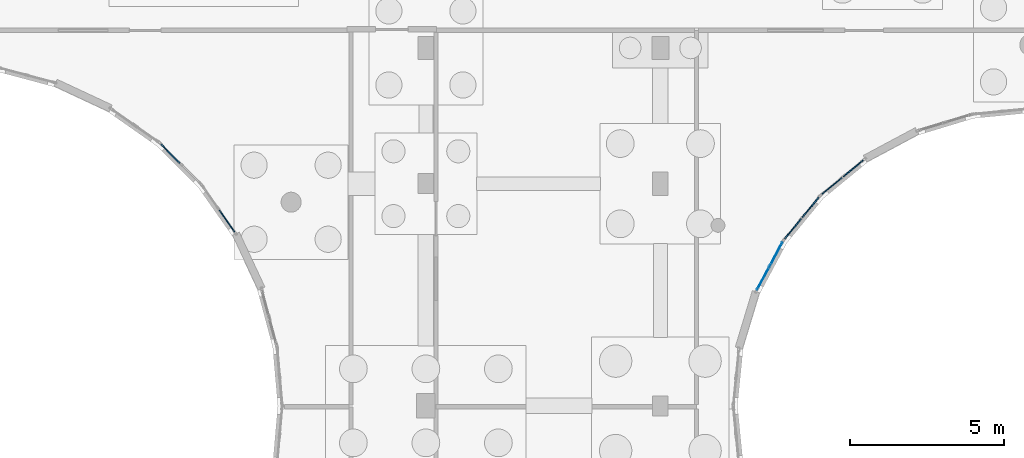
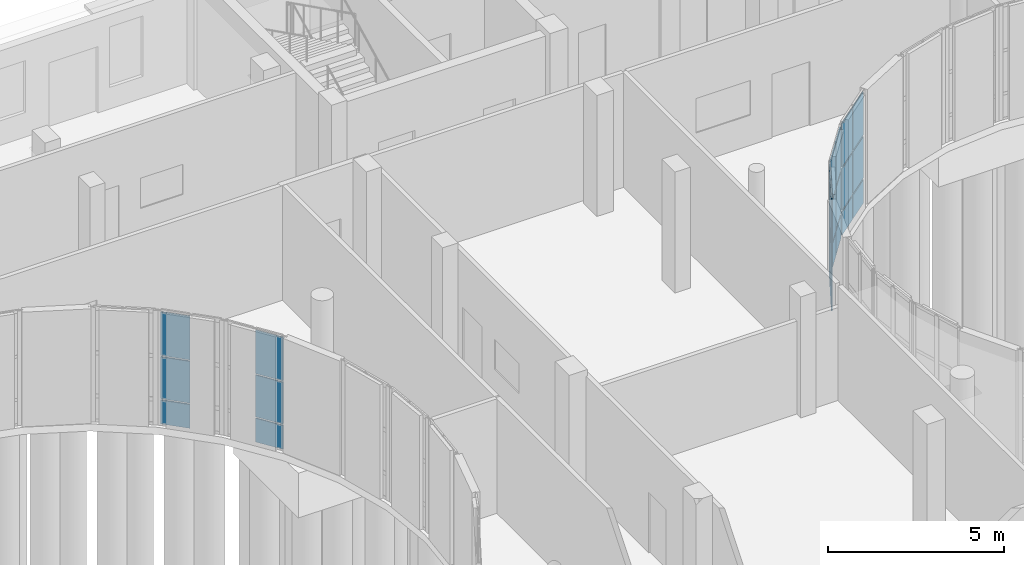
# One storey, part 57 of 93: 24 plates, 5 elements without a shape of their own.
"""IFC4 building model written with IfcOpenShell, lengths in metres."""

from ifc_helpers import new_model, si_unit, direction, frame, origin, origin_2d, place, context, subcontext, project, spatial, rectangle, extrude, material, layer, layer_set, type_object, element, aggregate, save


model = new_model("IFC4")

# Units and contexts
model_context = context("Model", 3, precision=1e-05, world=origin(), true_north=direction((0.0, 1.0)))
body_context = subcontext(model_context, "Body", "Model", "MODEL_VIEW")
ifc_project = project(units=[si_unit("LENGTHUNIT", "METRE"), si_unit("AREAUNIT", "SQUARE_METRE"), si_unit("VOLUMEUNIT", "CUBIC_METRE"), si_unit("PLANEANGLEUNIT", "RADIAN"), si_unit("MASSUNIT", "GRAM", prefix="KILO")], contexts=[model_context])

# Site, building, storey
site_placement = place(None, origin())
site = spatial("IfcSite", under=ifc_project, at=site_placement, CompositionType="ELEMENT")
building_placement = place(site_placement, origin())
building = spatial("IfcBuilding", under=site, at=building_placement, Name="Kelanivale Promenade Academy", CompositionType="ELEMENT")
storey_placement = place(building_placement, origin())
storey = spatial("IfcBuildingStorey", under=building, at=storey_placement, Name="L00", CompositionType="ELEMENT", Elevation=0.0)

# Curtain wall, plates
ifc_material_1 = material(Name="Bronze anodised aluminium and solar-control low-E glass", Category="aluminium")
ifc_layer_1 = layer(ifc_material_1, 0.169921875)
ifc_layer_set_1 = layer_set([ifc_layer_1], Name="Bronze anodised aluminium and solar-control low-E glass")
curtain_wall_type_1 = type_object("IfcCurtainWallType", Name="CW-10 Curtain Wall 1800mm Module", PredefinedType="USERDEFINED", material=ifc_layer_set_1)
curtain_wall_1_placement = place(storey_placement, origin())
curtain_wall_1 = element("IfcCurtainWall", 1, at=curtain_wall_1_placement, inside=storey, type_object=curtain_wall_type_1, Name="L00 courtyard curtain wall CW-10", ObjectType="UNITISED GLAZING", PredefinedType="USERDEFINED")
ifc_material_2 = material(Name="Solar-control double glazing 28 mm", Category="glass")
ifc_layer_2 = layer(ifc_material_2, 0.028076171875)
ifc_layer_set_2 = layer_set([ifc_layer_2], Name="Solar-control double glazing 28 mm")
plate_type_1 = type_object("IfcPlateType", Name="CWP-01 Plate 28mm", PredefinedType="CURTAIN_PANEL", material=ifc_layer_set_2)
plate_1_placement = place(storey_placement, frame((90.55322265625, 61.723388671875, 0.0498046875), z_axis=(0.0, 0.0, 1.0), x_axis=(-0.471290193914, -0.881978204448, 0.0)))
plate_1 = element("IfcPlate", 2, at=plate_1_placement, type_object=plate_type_1, Name="CW-10 panel 1.1", PredefinedType="CURTAIN_PANEL", context=body_context, shape_type="SweptSolid", body=[
    extrude(rectangle(XDim=0.833984375, YDim=0.028076171875, at=origin_2d()), origin(), (0.0, 0.0, 1.0), 0.824951171875),
])
plate_2_placement = place(storey_placement, frame((90.55322265625, 61.723388671875, 0.9248046875), z_axis=(0.0, 0.0, 1.0), x_axis=(-0.471290193914, -0.881978204448, 0.0)))
plate_2 = element("IfcPlate", 3, at=plate_2_placement, type_object=plate_type_1, Name="CW-10 panel 1.2", PredefinedType="CURTAIN_PANEL", context=body_context, shape_type="SweptSolid", body=[
    extrude(rectangle(XDim=0.833984375, YDim=0.028076171875, at=origin_2d()), origin(), (0.0, 0.0, 1.0), 1.449951171875),
])
plate_3_placement = place(storey_placement, frame((90.55322265625, 61.723388671875, 2.425048828125), z_axis=(0.0, 0.0, 1.0), x_axis=(-0.471290193914, -0.881978204448, 0.0)))
plate_3 = element("IfcPlate", 4, at=plate_3_placement, type_object=plate_type_1, Name="CW-10 panel 1.3", PredefinedType="CURTAIN_PANEL", context=body_context, shape_type="SweptSolid", body=[
    extrude(rectangle(XDim=0.833984375, YDim=0.028076171875, at=origin_2d()), origin(), (0.0, 0.0, 1.0), 1.5048828125),
])
plate_4_placement = place(storey_placement, frame((90.1318359375, 60.934814453125, 0.0498046875), z_axis=(0.0, 0.0, 1.0), x_axis=(-0.471290193914, -0.881978204448, 0.0)))
plate_4 = element("IfcPlate", 5, at=plate_4_placement, type_object=plate_type_1, Name="CW-10 panel 2.1", PredefinedType="CURTAIN_PANEL", context=body_context, shape_type="SweptSolid", body=[
    extrude(rectangle(XDim=0.833984375, YDim=0.028076171875, at=origin_2d()), origin(), (0.0, 0.0, 1.0), 0.824951171875),
])
plate_5_placement = place(storey_placement, frame((90.1318359375, 60.934814453125, 0.9248046875), z_axis=(0.0, 0.0, 1.0), x_axis=(-0.471290193914, -0.881978204448, 0.0)))
plate_5 = element("IfcPlate", 6, at=plate_5_placement, type_object=plate_type_1, Name="CW-10 panel 2.2", PredefinedType="CURTAIN_PANEL", context=body_context, shape_type="SweptSolid", body=[
    extrude(rectangle(XDim=0.833984375, YDim=0.028076171875, at=origin_2d()), origin(), (0.0, 0.0, 1.0), 1.449951171875),
])
plate_6_placement = place(storey_placement, frame((90.1318359375, 60.934814453125, 2.425048828125), z_axis=(0.0, 0.0, 1.0), x_axis=(-0.471290193914, -0.881978204448, 0.0)))
plate_6 = element("IfcPlate", 7, at=plate_6_placement, type_object=plate_type_1, Name="CW-10 panel 2.3", PredefinedType="CURTAIN_PANEL", context=body_context, shape_type="SweptSolid", body=[
    extrude(rectangle(XDim=0.833984375, YDim=0.028076171875, at=origin_2d()), origin(), (0.0, 0.0, 1.0), 1.5048828125),
])
aggregate(curtain_wall_1, [plate_1, plate_2, plate_3, plate_4, plate_5, plate_6])

ifc_layer_3 = layer(ifc_material_1, 0.179931640625)
ifc_layer_set_3 = layer_set([ifc_layer_3], Name="Bronze anodised aluminium and solar-control low-E glass")
curtain_wall_type_2 = type_object("IfcCurtainWallType", Name="CW-08 Curtain Wall 1500mm Module", PredefinedType="USERDEFINED", material=ifc_layer_set_3)
curtain_wall_2_placement = place(storey_placement, origin())
curtain_wall_2 = element("IfcCurtainWall", 8, at=curtain_wall_2_placement, inside=storey, type_object=curtain_wall_type_2, Name="L00 courtyard curtain wall CW-08", ObjectType="UNITISED GLAZING", PredefinedType="USERDEFINED")
ifc_material_3 = material(Name="Acoustic laminated double glazing 36 mm", Category="glass")
ifc_layer_4 = layer(ifc_material_3, 0.035888671875)
ifc_layer_set_4 = layer_set([ifc_layer_4], Name="Acoustic laminated double glazing 36 mm")
plate_type_2 = type_object("IfcPlateType", Name="CWP-02 Plate 36mm", PredefinedType="CURTAIN_PANEL", material=ifc_layer_set_4)
plate_7_placement = place(storey_placement, frame((93.051513671875, 64.493896484375, 0.06005859375), z_axis=(0.0, 0.0, 1.0), x_axis=(-0.773257170269, -0.634092539482, 0.0)))
plate_7 = element("IfcPlate", 9, at=plate_7_placement, type_object=plate_type_2, Name="CW-08 panel 1.1", PredefinedType="CURTAIN_PANEL", context=body_context, shape_type="SweptSolid", body=[
    extrude(rectangle(XDim=0.825927734375, YDim=0.035888671875, at=origin_2d()), origin(), (0.0, 0.0, 1.0), 0.81005859375),
])
plate_8_placement = place(storey_placement, frame((93.051513671875, 64.493896484375, 0.929931640625), z_axis=(0.0, 0.0, 1.0), x_axis=(-0.773257170269, -0.634092539482, 0.0)))
plate_8 = element("IfcPlate", 10, at=plate_8_placement, type_object=plate_type_2, Name="CW-08 panel 1.2", PredefinedType="CURTAIN_PANEL", context=body_context, shape_type="SweptSolid", body=[
    extrude(rectangle(XDim=0.825927734375, YDim=0.035888671875, at=origin_2d()), origin(), (0.0, 0.0, 1.0), 1.43994140625),
])
plate_9_placement = place(storey_placement, frame((93.051513671875, 64.493896484375, 2.43017578125), z_axis=(0.0, 0.0, 1.0), x_axis=(-0.773257170269, -0.634092539482, 0.0)))
plate_9 = element("IfcPlate", 11, at=plate_9_placement, type_object=plate_type_2, Name="CW-08 panel 1.3", PredefinedType="CURTAIN_PANEL", context=body_context, shape_type="SweptSolid", body=[
    extrude(rectangle(XDim=0.825927734375, YDim=0.035888671875, at=origin_2d()), origin(), (0.0, 0.0, 1.0), 1.489990234375),
])
plate_10_placement = place(storey_placement, frame((92.362548828125, 63.928955078125, 0.06005859375), z_axis=(0.0, 0.0, 1.0), x_axis=(-0.773257170269, -0.634092539482, 0.0)))
plate_10 = element("IfcPlate", 12, at=plate_10_placement, type_object=plate_type_2, Name="CW-08 panel 2.1", PredefinedType="CURTAIN_PANEL", context=body_context, shape_type="SweptSolid", body=[
    extrude(rectangle(XDim=0.825927734375, YDim=0.035888671875, at=origin_2d()), origin(), (0.0, 0.0, 1.0), 0.81005859375),
])
plate_11_placement = place(storey_placement, frame((92.362548828125, 63.928955078125, 0.929931640625), z_axis=(0.0, 0.0, 1.0), x_axis=(-0.773257170269, -0.634092539482, 0.0)))
plate_11 = element("IfcPlate", 13, at=plate_11_placement, type_object=plate_type_2, Name="CW-08 panel 2.2", PredefinedType="CURTAIN_PANEL", context=body_context, shape_type="SweptSolid", body=[
    extrude(rectangle(XDim=0.825927734375, YDim=0.035888671875, at=origin_2d()), origin(), (0.0, 0.0, 1.0), 1.43994140625),
])
plate_12_placement = place(storey_placement, frame((92.362548828125, 63.928955078125, 2.43017578125), z_axis=(0.0, 0.0, 1.0), x_axis=(-0.773257170269, -0.634092539482, 0.0)))
plate_12 = element("IfcPlate", 14, at=plate_12_placement, type_object=plate_type_2, Name="CW-08 panel 2.3", PredefinedType="CURTAIN_PANEL", context=body_context, shape_type="SweptSolid", body=[
    extrude(rectangle(XDim=0.825927734375, YDim=0.035888671875, at=origin_2d()), origin(), (0.0, 0.0, 1.0), 1.489990234375),
])
aggregate(curtain_wall_2, [plate_7, plate_8, plate_9, plate_10, plate_11, plate_12])

ifc_layer_5 = layer(ifc_material_1, 0.179931640625)
ifc_layer_set_5 = layer_set([ifc_layer_5], Name="Bronze anodised aluminium and solar-control low-E glass")
curtain_wall_type_3 = type_object("IfcCurtainWallType", Name="CW-02 Curtain Wall 1500mm Module", PredefinedType="USERDEFINED", material=ifc_layer_set_5)
curtain_wall_3_placement = place(storey_placement, origin())
curtain_wall_3 = element("IfcCurtainWall", 15, at=curtain_wall_3_placement, inside=storey, type_object=curtain_wall_type_3, Name="L00 courtyard curtain wall CW-02", ObjectType="UNITISED GLAZING", PredefinedType="USERDEFINED")
plate_13_placement = place(storey_placement, frame((72.750732421875, 62.7939453125, 0.0498046875), z_axis=(0.0, 0.0, 1.0), x_axis=(-0.573356527561, 0.819305982099, 0.0)))
plate_13 = element("IfcPlate", 16, at=plate_13_placement, type_object=plate_type_2, Name="CW-02 panel 1.1", PredefinedType="CURTAIN_PANEL", context=body_context, shape_type="SweptSolid", body=[
    extrude(rectangle(XDim=0.861328125, YDim=0.035888671875, at=origin_2d()), origin(), (0.0, 0.0, 1.0), 0.824951171875),
])
plate_14_placement = place(storey_placement, frame((72.750732421875, 62.7939453125, 0.9248046875), z_axis=(0.0, 0.0, 1.0), x_axis=(-0.573356527561, 0.819305982099, 0.0)))
plate_14 = element("IfcPlate", 17, at=plate_14_placement, type_object=plate_type_2, Name="CW-02 panel 1.2", PredefinedType="CURTAIN_PANEL", context=body_context, shape_type="SweptSolid", body=[
    extrude(rectangle(XDim=0.861328125, YDim=0.035888671875, at=origin_2d()), origin(), (0.0, 0.0, 1.0), 1.449951171875),
])
plate_15_placement = place(storey_placement, frame((72.750732421875, 62.7939453125, 2.425048828125), z_axis=(0.0, 0.0, 1.0), x_axis=(-0.573356527561, 0.819305982099, 0.0)))
plate_15 = element("IfcPlate", 18, at=plate_15_placement, type_object=plate_type_2, Name="CW-02 panel 1.3", PredefinedType="CURTAIN_PANEL", context=body_context, shape_type="SweptSolid", body=[
    extrude(rectangle(XDim=0.861328125, YDim=0.035888671875, at=origin_2d()), origin(), (0.0, 0.0, 1.0), 1.5048828125),
])
aggregate(curtain_wall_3, [plate_13, plate_14, plate_15])

ifc_layer_6 = layer(ifc_material_1, 0.159912109375)
ifc_layer_set_6 = layer_set([ifc_layer_6], Name="Bronze anodised aluminium and solar-control low-E glass")
curtain_wall_type_4 = type_object("IfcCurtainWallType", Name="CW-09 Curtain Wall 1650mm Module", PredefinedType="USERDEFINED", material=ifc_layer_set_6)
curtain_wall_4_placement = place(storey_placement, origin())
curtain_wall_4 = element("IfcCurtainWall", 19, at=curtain_wall_4_placement, inside=storey, type_object=curtain_wall_type_4, Name="L00 courtyard curtain wall CW-09", ObjectType="UNITISED GLAZING", PredefinedType="USERDEFINED")
ifc_material_4 = material(Name="Insulated bronze aluminium spandrel panel 44 mm", Category="aluminium")
ifc_layer_7 = layer(ifc_material_4, 0.0439453125)
ifc_layer_set_7 = layer_set([ifc_layer_7], Name="Insulated bronze aluminium spandrel panel 44 mm")
plate_type_3 = type_object("IfcPlateType", Name="CWP-03 Plate 44mm", PredefinedType="CURTAIN_PANEL", material=ifc_layer_set_7)
plate_16_placement = place(storey_placement, frame((91.669189453125, 63.2353515625, 0.0498046875), z_axis=(0.0, 0.0, 1.0), x_axis=(-0.634143799719, -0.773215132597, 0.0)))
plate_16 = element("IfcPlate", 20, at=plate_16_placement, type_object=plate_type_3, Name="CW-09 panel 1.1", PredefinedType="CURTAIN_PANEL", context=body_context, shape_type="SweptSolid", body=[
    extrude(rectangle(XDim=0.841064453125, YDim=0.0439453125, at=origin_2d()), origin(), (0.0, 0.0, 1.0), 0.824951171875),
])
plate_17_placement = place(storey_placement, frame((91.669189453125, 63.2353515625, 0.9248046875), z_axis=(0.0, 0.0, 1.0), x_axis=(-0.634143799719, -0.773215132597, 0.0)))
plate_17 = element("IfcPlate", 21, at=plate_17_placement, type_object=plate_type_3, Name="CW-09 panel 1.2", PredefinedType="CURTAIN_PANEL", context=body_context, shape_type="SweptSolid", body=[
    extrude(rectangle(XDim=0.841064453125, YDim=0.0439453125, at=origin_2d()), origin(), (0.0, 0.0, 1.0), 1.449951171875),
])
plate_18_placement = place(storey_placement, frame((91.669189453125, 63.2353515625, 2.425048828125), z_axis=(0.0, 0.0, 1.0), x_axis=(-0.634143799719, -0.773215132597, 0.0)))
plate_18 = element("IfcPlate", 22, at=plate_18_placement, type_object=plate_type_3, Name="CW-09 panel 1.3", PredefinedType="CURTAIN_PANEL", context=body_context, shape_type="SweptSolid", body=[
    extrude(rectangle(XDim=0.841064453125, YDim=0.0439453125, at=origin_2d()), origin(), (0.0, 0.0, 1.0), 1.5048828125),
])
plate_19_placement = place(storey_placement, frame((91.09765625, 62.53857421875, 0.0498046875), z_axis=(0.0, 0.0, 1.0), x_axis=(-0.634143799719, -0.773215132597, 0.0)))
plate_19 = element("IfcPlate", 23, at=plate_19_placement, type_object=plate_type_3, Name="CW-09 panel 2.1", PredefinedType="CURTAIN_PANEL", context=body_context, shape_type="SweptSolid", body=[
    extrude(rectangle(XDim=0.841064453125, YDim=0.0439453125, at=origin_2d()), origin(), (0.0, 0.0, 1.0), 0.824951171875),
])
plate_20_placement = place(storey_placement, frame((91.09765625, 62.53857421875, 0.9248046875), z_axis=(0.0, 0.0, 1.0), x_axis=(-0.634143799719, -0.773215132597, 0.0)))
plate_20 = element("IfcPlate", 24, at=plate_20_placement, type_object=plate_type_3, Name="CW-09 panel 2.2", PredefinedType="CURTAIN_PANEL", context=body_context, shape_type="SweptSolid", body=[
    extrude(rectangle(XDim=0.841064453125, YDim=0.0439453125, at=origin_2d()), origin(), (0.0, 0.0, 1.0), 1.449951171875),
])
plate_21_placement = place(storey_placement, frame((91.09765625, 62.53857421875, 2.425048828125), z_axis=(0.0, 0.0, 1.0), x_axis=(-0.634143799719, -0.773215132597, 0.0)))
plate_21 = element("IfcPlate", 25, at=plate_21_placement, type_object=plate_type_3, Name="CW-09 panel 2.3", PredefinedType="CURTAIN_PANEL", context=body_context, shape_type="SweptSolid", body=[
    extrude(rectangle(XDim=0.841064453125, YDim=0.0439453125, at=origin_2d()), origin(), (0.0, 0.0, 1.0), 1.5048828125),
])
aggregate(curtain_wall_4, [plate_16, plate_17, plate_18, plate_19, plate_20, plate_21])

ifc_layer_8 = layer(ifc_material_1, 0.159912109375)
ifc_layer_set_8 = layer_set([ifc_layer_8], Name="Bronze anodised aluminium and solar-control low-E glass")
curtain_wall_type_5 = type_object("IfcCurtainWallType", Name="CW-03 Curtain Wall 1650mm Module", PredefinedType="USERDEFINED", material=ifc_layer_set_8)
curtain_wall_5_placement = place(storey_placement, origin())
curtain_wall_5 = element("IfcCurtainWall", 26, at=curtain_wall_5_placement, inside=storey, type_object=curtain_wall_type_5, Name="L00 courtyard curtain wall CW-03", ObjectType="UNITISED GLAZING", PredefinedType="USERDEFINED")
plate_22_placement = place(storey_placement, frame((70.920166015625, 64.974853515625, 0.0498046875), z_axis=(0.0, 0.0, 1.0), x_axis=(-0.707106781187, 0.707106781187, 0.0)))
plate_22 = element("IfcPlate", 27, at=plate_22_placement, type_object=plate_type_3, Name="CW-03 panel 2.1", PredefinedType="CURTAIN_PANEL", context=body_context, shape_type="SweptSolid", body=[
    extrude(rectangle(XDim=0.860595703125, YDim=0.0439453125, at=origin_2d()), origin(), (0.0, 0.0, 1.0), 0.824951171875),
])
plate_23_placement = place(storey_placement, frame((70.920166015625, 64.974853515625, 0.9248046875), z_axis=(0.0, 0.0, 1.0), x_axis=(-0.707106781187, 0.707106781187, 0.0)))
plate_23 = element("IfcPlate", 28, at=plate_23_placement, type_object=plate_type_3, Name="CW-03 panel 2.2", PredefinedType="CURTAIN_PANEL", context=body_context, shape_type="SweptSolid", body=[
    extrude(rectangle(XDim=0.860595703125, YDim=0.0439453125, at=origin_2d()), origin(), (0.0, 0.0, 1.0), 1.449951171875),
])
plate_24_placement = place(storey_placement, frame((70.920166015625, 64.974853515625, 2.425048828125), z_axis=(0.0, 0.0, 1.0), x_axis=(-0.707106781187, 0.707106781187, 0.0)))
plate_24 = element("IfcPlate", 29, at=plate_24_placement, type_object=plate_type_3, Name="CW-03 panel 2.3", PredefinedType="CURTAIN_PANEL", context=body_context, shape_type="SweptSolid", body=[
    extrude(rectangle(XDim=0.860595703125, YDim=0.0439453125, at=origin_2d()), origin(), (0.0, 0.0, 1.0), 1.5048828125),
])
aggregate(curtain_wall_5, [plate_22, plate_23, plate_24])

save(model, "model.ifc")
